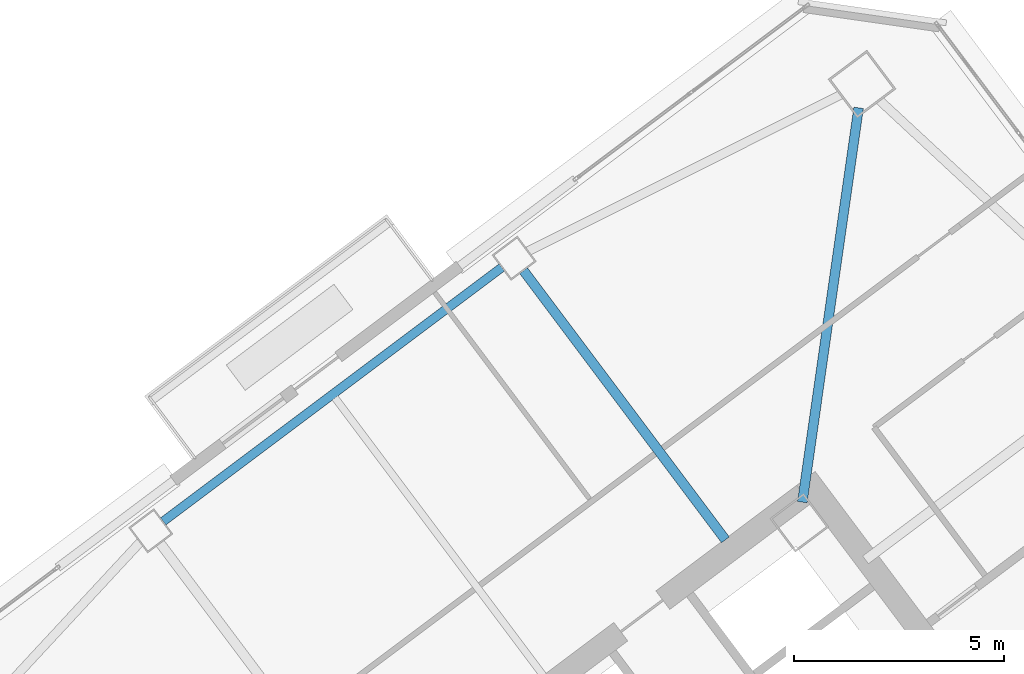
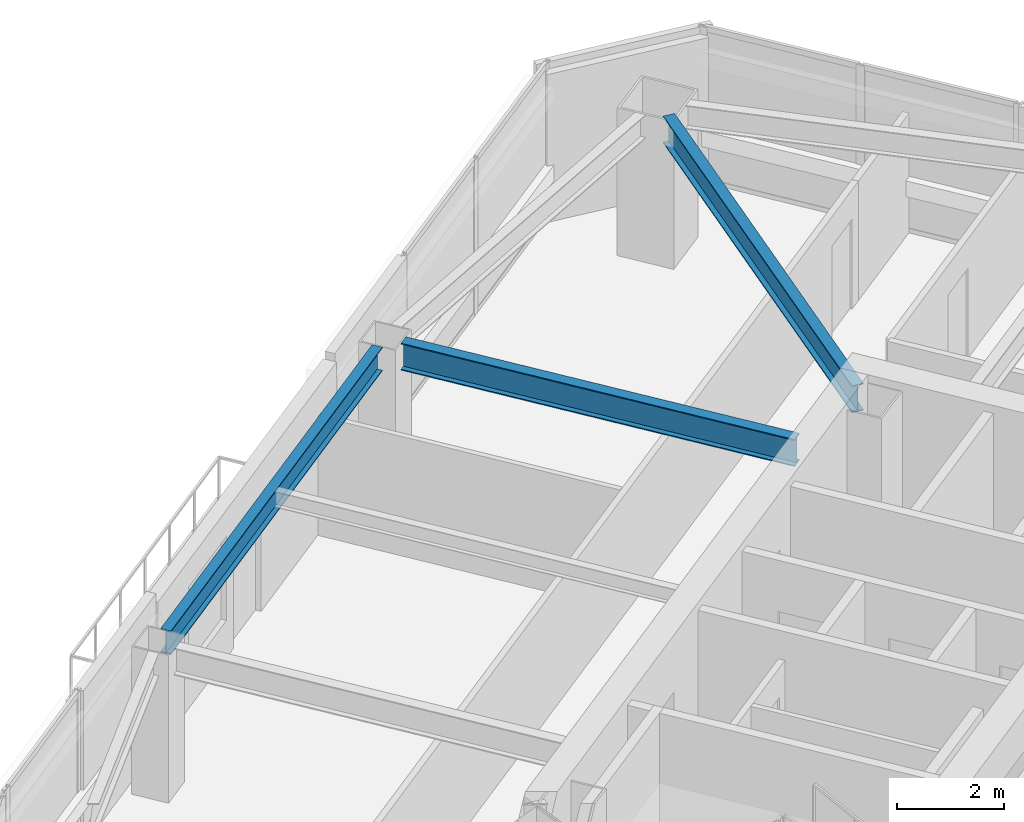
# One storey, part 29 of 44: 3 beams.
"""IFC4 building model written with IfcOpenShell, lengths in metres."""

from ifc_helpers import new_model, si_unit, direction, frame, origin, origin_2d, place, context, subcontext, project, spatial, i_section, extrude, material, material_profile, profile_set, type_object, element, save


model = new_model("IFC4")

# Units and contexts
model_context = context("Model", 3, precision=1e-05, world=origin(), true_north=direction((0.0, 1.0)))
body_context = subcontext(model_context, "Body", "Model", "MODEL_VIEW")
ifc_project = project(units=[si_unit("LENGTHUNIT", "METRE"), si_unit("AREAUNIT", "SQUARE_METRE"), si_unit("VOLUMEUNIT", "CUBIC_METRE"), si_unit("PLANEANGLEUNIT", "RADIAN"), si_unit("MASSUNIT", "GRAM", prefix="KILO")], contexts=[model_context])

# Site, building, storey
site_placement = place(None, origin())
site = spatial("IfcSite", under=ifc_project, at=site_placement, CompositionType="ELEMENT")
building_placement = place(site_placement, origin())
building = spatial("IfcBuilding", under=site, at=building_placement, Name="Tashvorn Skyway Center", CompositionType="ELEMENT")
storey_placement = place(building_placement, frame((0.0, 0.0, 181.85009765625)))
storey = spatial("IfcBuildingStorey", under=building, at=storey_placement, Name="L49", CompositionType="ELEMENT", Elevation=181.85009765625)

# Beams
ifc_material = material(Name="Steel ASTM A992 Grade 50", Category="steel")
ifc_material_profile_1 = material_profile(ifc_material, i_section(OverallWidth=0.22998046875, OverallDepth=0.616943359375, WebThickness=0.01318359375, FlangeThickness=0.022216796875, at=origin_2d()), Name="W24X94")
ifc_profile_set_1 = profile_set([ifc_material_profile_1], Name="Steel ASTM A992 Grade 50")
beam_type_1 = type_object("IfcBeamType", Name="BM-BEAM-W24X94", PredefinedType="BEAM", material=ifc_profile_set_1)
beam_1_placement = place(storey_placement, frame((116.8193359375, 51.73583984375, 3.0615234375), z_axis=(-0.141417747326, -0.989950009213, 0.0), x_axis=(0.989950009213, -0.141417747326, 0.0)))
element("IfcBeam", 1, at=beam_1_placement, inside=storey, type_object=beam_type_1, Name="Tower 2 L49 Primary Floor Girder MC-NE", PredefinedType="BEAM", context=body_context, shape_type="SweptSolid", body=[
    extrude(i_section(OverallWidth=0.22998046875, OverallDepth=0.616943359375, WebThickness=0.01318359375, FlangeThickness=0.022216796875, at=origin_2d()), origin(), (0.0, 0.0, 1.0), 9.470947265625),
])
beam_2_placement = place(storey_placement, frame((108.85205078125, 47.864013671875, 3.0615234375), z_axis=(0.60000976564, -0.799992675677, 0.0), x_axis=(0.799992675677, 0.60000976564, 0.0)))
element("IfcBeam", 2, at=beam_2_placement, inside=storey, type_object=beam_type_1, Name="Tower 2 L49 Primary Floor Girder FC-N1", PredefinedType="BEAM", context=body_context, shape_type="SweptSolid", body=[
    extrude(i_section(OverallWidth=0.22998046875, OverallDepth=0.616943359375, WebThickness=0.01318359375, FlangeThickness=0.022216796875, at=origin_2d()), origin(), (0.0, 0.0, 1.0), 8.0),
])
ifc_material_profile_2 = material_profile(ifc_material, i_section(OverallWidth=0.2109375, OverallDepth=0.5390625, WebThickness=0.01171875, FlangeThickness=0.018798828125, at=origin_2d()), Name="W21X73")
ifc_profile_set_2 = profile_set([ifc_material_profile_2], Name="Steel ASTM A992 Grade 50")
beam_type_2 = type_object("IfcBeamType", Name="BM-SPANDREL-W21X73", PredefinedType="SPANDREL", material=ifc_profile_set_2)
beam_3_placement = place(storey_placement, frame((108.333984375, 47.93798828125, 3.100341796875), z_axis=(-0.800008736549, -0.599988351091, 0.0), x_axis=(0.599988351091, -0.800008736549, 0.0)))
element("IfcBeam", 3, at=beam_3_placement, inside=storey, type_object=beam_type_2, Name="Tower 2 L49 Spandrel Beam 08", PredefinedType="SPANDREL", context=body_context, shape_type="SweptSolid", body=[
    extrude(i_section(OverallWidth=0.2109375, OverallDepth=0.5390625, WebThickness=0.01171875, FlangeThickness=0.018798828125, at=origin_2d()), origin(), (0.0, 0.0, 1.0), 10.06005859375),
])

save(model, "model.ifc")
